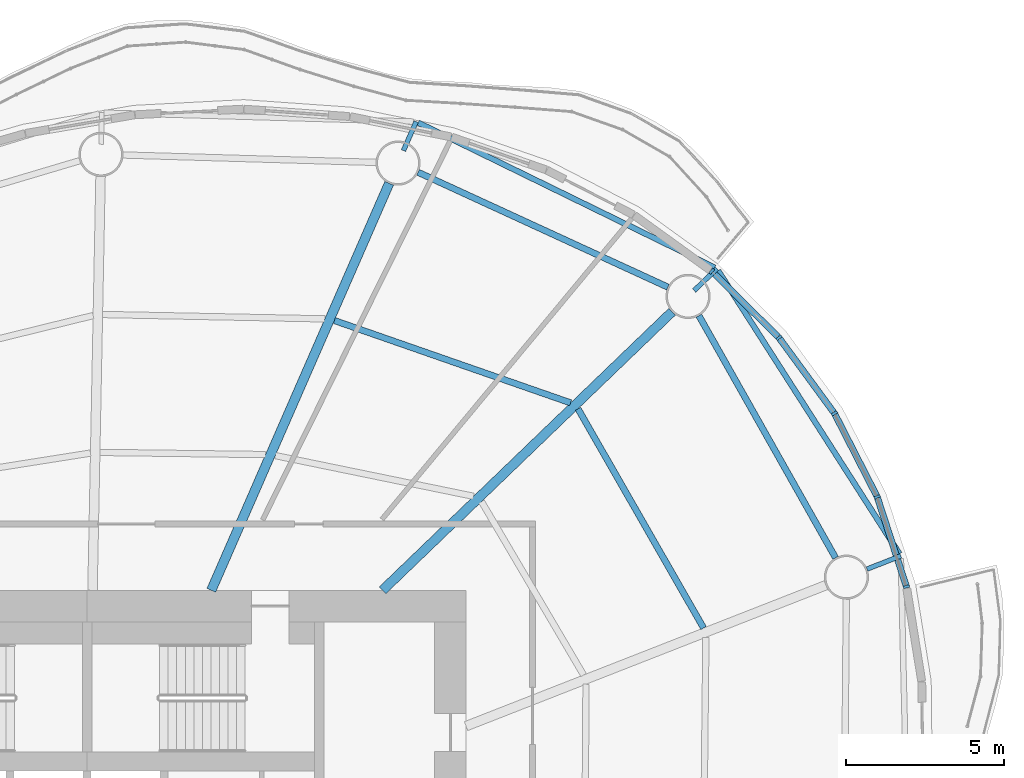
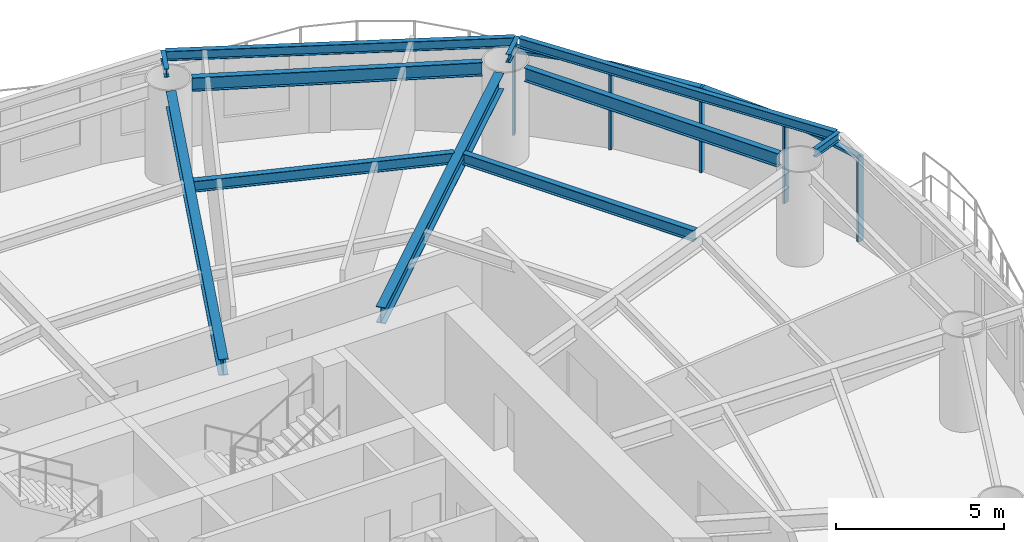
# One storey, part 6 of 15: 11 beams, 9 members, 4 elements without a shape of their own.
"""IFC4 building model written with IfcOpenShell, lengths in metres."""

from ifc_helpers import new_model, si_unit, direction, frame, origin, origin_2d, place, context, subcontext, project, spatial, rectangle, i_section, extrude, material, material_profile, profile_set, type_object, element, aggregate, save


model = new_model("IFC4")

# Units and contexts
model_context = context("Model", 3, precision=1e-05, world=origin(), true_north=direction((0.0, 1.0)))
body_context = subcontext(model_context, "Body", "Model", "MODEL_VIEW")
ifc_project = project(units=[si_unit("LENGTHUNIT", "METRE"), si_unit("AREAUNIT", "SQUARE_METRE"), si_unit("VOLUMEUNIT", "CUBIC_METRE"), si_unit("PLANEANGLEUNIT", "RADIAN"), si_unit("MASSUNIT", "GRAM", prefix="KILO")], contexts=[model_context])

# Site, building, storey
site_placement = place(None, origin())
site = spatial("IfcSite", under=ifc_project, at=site_placement, CompositionType="ELEMENT")
building_placement = place(site_placement, origin())
building = spatial("IfcBuilding", under=site, at=building_placement, Name="Vermilion Reach Broadcast Tower", CompositionType="ELEMENT")
storey_placement = place(building_placement, frame((0.0, 0.0, 161.39990234375)))
storey = spatial("IfcBuildingStorey", under=building, at=storey_placement, Name="L38", CompositionType="ELEMENT", Elevation=161.39990234375)

# Beams
ifc_material_1 = material(Name="Steel S355J2", Category="steel")
ifc_material_profile_1 = material_profile(ifc_material_1, i_section(OverallWidth=0.175048828125, OverallDepth=0.35009765625, WebThickness=0.007080078125, FlangeThickness=0.010986328125, at=origin_2d()), Name="S355J2 HN 350x175x7x11")
ifc_profile_set_1 = profile_set([ifc_material_profile_1], Name="Steel S355J2")
beam_type_1 = type_object("IfcBeamType", Name="EB3 HN 350x175x7x11", PredefinedType="BEAM", material=ifc_profile_set_1)
beam_1_placement = place(storey_placement, frame((13.866943359375, 19.215576171875, 3.275146484375), z_axis=(-0.898384770924, 0.439209293358, 0.0), x_axis=(-0.439209293358, -0.898384770924, 0.0)))
element("IfcBeam", 1, at=beam_1_placement, inside=storey, type_object=beam_type_1, Name="Edge beam EB3-01", PredefinedType="BEAM", context=body_context, shape_type="SweptSolid", body=[
    extrude(i_section(OverallWidth=0.175048828125, OverallDepth=0.35009765625, WebThickness=0.007080078125, FlangeThickness=0.010986328125, at=origin_2d()), origin(), (0.0, 0.0, 1.0), 10.4423828125),
])
beam_2_placement = place(storey_placement, frame((19.7197265625, 10.15478515625, 3.275146484375), z_axis=(-0.539365485007, 0.842071774603, 0.0), x_axis=(-0.842071774603, -0.539365485007, 0.0)))
element("IfcBeam", 2, at=beam_2_placement, inside=storey, type_object=beam_type_1, Name="Edge beam EB3-16", PredefinedType="BEAM", context=body_context, shape_type="SweptSolid", body=[
    extrude(i_section(OverallWidth=0.175048828125, OverallDepth=0.35009765625, WebThickness=0.007080078125, FlangeThickness=0.010986328125, at=origin_2d()), origin(), (0.0, 0.0, 1.0), 10.64208984375),
])
ifc_material_2 = material(Name="Steel S355J2", Category="steel")
ifc_material_profile_2 = material_profile(ifc_material_2, i_section(OverallWidth=0.300048828125, OverallDepth=0.587890625, WebThickness=0.011962890625, FlangeThickness=0.02001953125, at=origin_2d()), Name="S355J2 HM 588x300x12x20")
ifc_profile_set_2 = profile_set([ifc_material_profile_2], Name="Steel S355J2")
beam_type_2 = type_object("IfcBeamType", Name="G3 HM 588x300x12x20", PredefinedType="BEAM", material=ifc_profile_set_2)
beam_3_placement = place(storey_placement, frame((3.355712890625, 9.0, 3.156005859375), z_axis=(0.720670374476, 0.693277874559, 0.0), x_axis=(-0.693277874559, 0.720670374476, 0.0)))
element("IfcBeam", 3, at=beam_3_placement, inside=storey, type_object=beam_type_2, Name="Girder G3-01", PredefinedType="BEAM", context=body_context, shape_type="SweptSolid", body=[
    extrude(i_section(OverallWidth=0.300048828125, OverallDepth=0.587890625, WebThickness=0.011962890625, FlangeThickness=0.02001953125, at=origin_2d()), origin(), (0.0, 0.0, 1.0), 12.718505859375),
])
beam_4_placement = place(storey_placement, frame((-2.066162109375, 9.0, 3.156005859375), z_axis=(0.400519113205, 0.916288404356, 0.0), x_axis=(-0.916288404356, 0.400519113205, 0.0)))
element("IfcBeam", 4, at=beam_4_placement, inside=storey, type_object=beam_type_2, Name="Girder G3-02", PredefinedType="BEAM", context=body_context, shape_type="SweptSolid", body=[
    extrude(i_section(OverallWidth=0.300048828125, OverallDepth=0.587890625, WebThickness=0.011962890625, FlangeThickness=0.02001953125, at=origin_2d()), origin(), (0.0, 0.0, 1.0), 14.0595703125),
])
ifc_material_3 = material(Name="Steel S355J2", Category="steel")
ifc_material_profile_3 = material_profile(ifc_material_3, i_section(OverallWidth=0.14990234375, OverallDepth=0.300048828125, WebThickness=0.006591796875, FlangeThickness=0.009033203125, at=origin_2d()), Name="S355J2 HN 300x150x6.5x9")
ifc_profile_set_3 = profile_set([ifc_material_profile_3], Name="Steel S355J2")
beam_type_3 = type_object("IfcBeamType", Name="GS3 HN 300x150x6.5x9", PredefinedType="BEAM", material=ifc_profile_set_3)
for number, where, z_axis, x_axis, name in (
    (5, (13.2177734375, 18.4873046875, 3.300048828125), (0.720645397388, 0.693303837595, 0.0), (-0.693303837595, 0.720645397388, 0.0), "Cantilever stub GS3-01"),
    (6, (4.017578125, 22.918701171875, 3.300048828125), (0.400626718411, 0.916241361485, 0.0), (-0.916241361485, 0.400626718411, 0.0), "Cantilever stub GS3-02"),
):
    element("IfcBeam", number, at=place(storey_placement, frame(where, z_axis=z_axis, x_axis=x_axis)), inside=storey, type_object=beam_type_3, Name=name, PredefinedType="BEAM", context=body_context, shape_type="SweptSolid", body=[
        extrude(i_section(OverallWidth=0.14990234375, OverallDepth=0.300048828125, WebThickness=0.006591796875, FlangeThickness=0.009033203125, at=origin_2d()), origin(), (0.0, 0.0, 1.0), 1.0),
    ])
beam_5_placement = place(storey_placement, frame((18.6923828125, 9.671875, 3.300048828125), z_axis=(0.931151726933, 0.364631953384, 0.0), x_axis=(-0.364631953384, 0.931151726933, 0.0)))
element("IfcBeam", 7, at=beam_5_placement, inside=storey, type_object=beam_type_3, Name="Cantilever stub GS3-16", PredefinedType="BEAM", context=body_context, shape_type="SweptSolid", body=[
    extrude(i_section(OverallWidth=0.14990234375, OverallDepth=0.300048828125, WebThickness=0.006591796875, FlangeThickness=0.009033203125, at=origin_2d()), origin(), (0.0, 0.0, 1.0), 1.147705078125),
])
ifc_material_4 = material(Name="Steel S355J2", Category="steel")
ifc_material_profile_4 = material_profile(ifc_material_4, i_section(OverallWidth=0.199951171875, OverallDepth=0.5, WebThickness=0.010009765625, FlangeThickness=0.01611328125, at=origin_2d()), Name="S355J2 HN 500x200x10x16")
ifc_profile_set_4 = profile_set([ifc_material_profile_4], Name="Steel S355J2")
beam_type_4 = type_object("IfcBeamType", Name="RB3 HN 500x200x10x16", PredefinedType="BEAM", material=ifc_profile_set_4)
beam_6_placement = place(storey_placement, frame((12.389892578125, 18.594970703125, 3.2001953125), z_axis=(-0.908546241769, 0.417784306272, 0.0), x_axis=(-0.417784306272, -0.908546241769, 0.0)))
element("IfcBeam", 8, at=beam_6_placement, inside=storey, type_object=beam_type_4, Name="Ring beam RB3-01", PredefinedType="BEAM", context=body_context, shape_type="SweptSolid", body=[
    extrude(i_section(OverallWidth=0.199951171875, OverallDepth=0.5, WebThickness=0.010009765625, FlangeThickness=0.01611328125, at=origin_2d()), origin(), (0.0, 0.0, 1.0), 8.704833984375),
])
beam_7_placement = place(storey_placement, frame((17.696533203125, 10.026123046875, 3.2001953125), z_axis=(-0.491466825026, 0.870896296869, 0.0), x_axis=(-0.870896296869, -0.491466825026, 0.0)))
element("IfcBeam", 9, at=beam_7_placement, inside=storey, type_object=beam_type_4, Name="Ring beam RB3-16", PredefinedType="BEAM", context=body_context, shape_type="SweptSolid", body=[
    extrude(i_section(OverallWidth=0.199951171875, OverallDepth=0.5, WebThickness=0.010009765625, FlangeThickness=0.01611328125, at=origin_2d()), origin(), (0.0, 0.0, 1.0), 8.803466796875),
])
ifc_material_5 = material(Name="Steel S355J2", Category="steel")
ifc_material_profile_5 = material_profile(ifc_material_5, i_section(OverallWidth=0.199951171875, OverallDepth=0.39990234375, WebThickness=0.008056640625, FlangeThickness=0.012939453125, at=origin_2d()), Name="S355J2 HN 400x200x8x13")
ifc_profile_set_5 = profile_set([ifc_material_profile_5], Name="Steel S355J2")
beam_type_5 = type_object("IfcBeamType", Name="SB3 HN 400x200x8x13", PredefinedType="BEAM", material=ifc_profile_set_5)
beam_8_placement = place(storey_placement, frame((9.307373046875, 14.93359375, 3.25), z_axis=(-0.94431696779, 0.329037177754, 0.0), x_axis=(-0.329037177754, -0.94431696779, 0.0)))
element("IfcBeam", 10, at=beam_8_placement, inside=storey, type_object=beam_type_5, Name="Secondary beam SB3-01-2", PredefinedType="BEAM", context=body_context, shape_type="SweptSolid", body=[
    extrude(i_section(OverallWidth=0.199951171875, OverallDepth=0.39990234375, WebThickness=0.008056640625, FlangeThickness=0.012939453125, at=origin_2d()), origin(), (0.0, 0.0, 1.0), 7.91845703125),
])
beam_9_placement = place(storey_placement, frame((13.51708984375, 7.805908203125, 3.25), z_axis=(-0.497026503115, 0.867735360119, 0.0), x_axis=(-0.867735360119, -0.497026503115, 0.0)))
element("IfcBeam", 11, at=beam_9_placement, inside=storey, type_object=beam_type_5, Name="Secondary beam SB3-16-2", PredefinedType="BEAM", context=body_context, shape_type="SweptSolid", body=[
    extrude(i_section(OverallWidth=0.199951171875, OverallDepth=0.39990234375, WebThickness=0.008056640625, FlangeThickness=0.012939453125, at=origin_2d()), origin(), (0.0, 0.0, 1.0), 7.995849609375),
])

# Curtain wall, member
ifc_material_6 = material(Name="Low-e laminated clear glass in aluminium frame", Category="aluminium")
curtain_wall_type = type_object("IfcCurtainWallType", Name="Slot curtain wall", PredefinedType="NOTDEFINED", material=ifc_material_6)
placement = place(storey_placement, origin())
curtain_wall_1 = element("IfcCurtainWall", 12, at=placement, inside=storey, type_object=curtain_wall_type, Name="Slot curtain wall L38 46", PredefinedType="NOTDEFINED")
ifc_material_7 = material(Name="Anodised aluminium", Category="aluminium")
ifc_material_profile_6 = material_profile(ifc_material_7, rectangle(XDim=0.199951171875, YDim=0.080078125, at=origin_2d()), Name="Slot mullion 80 x 200")
ifc_profile_set_6 = profile_set([ifc_material_profile_6], Name="Anodised aluminium")
member_type_1 = type_object("IfcMemberType", Name="Slot mullion 80 x 200", PredefinedType="MULLION", material=ifc_profile_set_6)
member_1_placement = place(storey_placement, frame((19.938720703125, 9.11328125, 0.0), z_axis=(0.0, 0.0, 1.0), x_axis=(-0.971934069749, -0.235253403933, 0.0)))
member_1 = element("IfcMember", 13, at=member_1_placement, type_object=member_type_1, Name="Slot mullion L38 46", PredefinedType="MULLION", context=body_context, shape_type="SweptSolid", body=[
    extrude(rectangle(XDim=0.199951171875, YDim=0.080078125, at=origin_2d()), origin(), (0.0, 0.0, 1.0), 3.10009765625),
])

curtain_wall_2 = element("IfcCurtainWall", 14, at=placement, inside=storey, type_object=curtain_wall_type, Name="Slot curtain wall L38 47", PredefinedType="NOTDEFINED")
member_2_placement = place(storey_placement, frame((19.011962890625, 11.95947265625, 0.0), z_axis=(0.0, 0.0, 1.0), x_axis=(-0.923403798138, -0.383829943574, 0.0)))
member_2 = element("IfcMember", 15, at=member_2_placement, type_object=member_type_1, Name="Slot mullion L38 47", PredefinedType="MULLION", context=body_context, shape_type="SweptSolid", body=[
    extrude(rectangle(XDim=0.199951171875, YDim=0.080078125, at=origin_2d()), origin(), (0.0, 0.0, 1.0), 3.10009765625),
])

curtain_wall_3 = element("IfcCurtainWall", 16, at=placement, inside=storey, type_object=curtain_wall_type, Name="Slot curtain wall L38 00", PredefinedType="NOTDEFINED")
member_3_placement = place(storey_placement, frame((17.65966796875, 14.60107421875, 0.0), z_axis=(0.0, 0.0, 1.0), x_axis=(-0.850994521016, -0.525174566407, 0.0)))
member_3 = element("IfcMember", 17, at=member_3_placement, type_object=member_type_1, Name="Slot mullion L38 00", PredefinedType="MULLION", context=body_context, shape_type="SweptSolid", body=[
    extrude(rectangle(XDim=0.199951171875, YDim=0.080078125, at=origin_2d()), origin(), (0.0, 0.0, 1.0), 3.10009765625),
])

# Curtain wall, members
curtain_wall_4 = element("IfcCurtainWall", 18, at=placement, inside=storey, type_object=curtain_wall_type, Name="Slot curtain wall L38 01", PredefinedType="NOTDEFINED")
member_4_placement = place(storey_placement, frame((15.90478515625, 16.994384765625, 0.0), z_axis=(0.0, 0.0, 1.0), x_axis=(-0.757121793507, -0.653273747977, 0.0)))
member_4 = element("IfcMember", 19, at=member_4_placement, type_object=member_type_1, Name="Slot mullion L38 01", PredefinedType="MULLION", context=body_context, shape_type="SweptSolid", body=[
    extrude(rectangle(XDim=0.199951171875, YDim=0.080078125, at=origin_2d()), origin(), (0.0, 0.0, 1.0), 3.10009765625),
])
member_5_placement = place(storey_placement, frame((13.7763671875, 19.098876953125, 0.0), z_axis=(0.0, 0.0, 1.0), x_axis=(-0.646078087441, -0.763271318031, 0.0)))
member_5 = element("IfcMember", 20, at=member_5_placement, type_object=member_type_1, Name="Slot mullion L38 02", PredefinedType="MULLION", context=body_context, shape_type="SweptSolid", body=[
    extrude(rectangle(XDim=0.199951171875, YDim=0.080078125, at=origin_2d()), origin(), (0.0, 0.0, 1.0), 3.10009765625),
])

# Member
ifc_material_8 = material(Name="Anodised aluminium", Category="aluminium")
ifc_material_profile_7 = material_profile(ifc_material_8, rectangle(XDim=0.199951171875, YDim=0.10009765625, at=origin_2d()), Name="Slot transom 200 x 100")
ifc_profile_set_7 = profile_set([ifc_material_profile_7], Name="Anodised aluminium")
member_type_2 = type_object("IfcMemberType", Name="Slot transom 200 x 100", PredefinedType="USERDEFINED", material=ifc_profile_set_7)
member_6_placement = place(storey_placement, frame((19.92626953125, 9.1513671875, 3.050048828125), z_axis=(-0.309582523063, 0.950872578958, 0.0), x_axis=(-0.950872578958, -0.309582523063, 0.0)))
member_6 = element("IfcMember", 21, at=member_6_placement, type_object=member_type_2, Name="Slot transom L38 46.1", ObjectType="TRANSOM", PredefinedType="USERDEFINED", context=body_context, shape_type="SweptSolid", body=[
    extrude(rectangle(XDim=0.199951171875, YDim=0.10009765625, at=origin_2d()), origin(), (0.0, 0.0, 1.0), 2.9130859375),
])

aggregate(curtain_wall_1, [member_1, member_6])

member_7_placement = place(storey_placement, frame((18.99365234375, 11.9951171875, 3.050048828125), z_axis=(-0.455648776842, 0.8901596442, 0.0), x_axis=(-0.8901596442, -0.455648776842, 0.0)))
member_7 = element("IfcMember", 22, at=member_7_placement, type_object=member_type_2, Name="Slot transom L38 47.1", ObjectType="TRANSOM", PredefinedType="USERDEFINED", context=body_context, shape_type="SweptSolid", body=[
    extrude(rectangle(XDim=0.199951171875, YDim=0.10009765625, at=origin_2d()), origin(), (0.0, 0.0, 1.0), 2.887451171875),
])

aggregate(curtain_wall_2, [member_2, member_7])

member_8_placement = place(storey_placement, frame((17.635986328125, 14.63330078125, 3.050048828125), z_axis=(-0.591334339952, 0.806426499065, 0.0), x_axis=(-0.806426499065, -0.591334339952, 0.0)))
member_8 = element("IfcMember", 23, at=member_8_placement, type_object=member_type_2, Name="Slot transom L38 00.1", ObjectType="TRANSOM", PredefinedType="USERDEFINED", context=body_context, shape_type="SweptSolid", body=[
    extrude(rectangle(XDim=0.199951171875, YDim=0.10009765625, at=origin_2d()), origin(), (0.0, 0.0, 1.0), 2.887451171875),
])

aggregate(curtain_wall_3, [member_3, member_8])

member_9_placement = place(storey_placement, frame((15.876220703125, 17.0224609375, 3.050048828125), z_axis=(-0.711118163099, 0.703072512697, 0.0), x_axis=(-0.703072512697, -0.711118163099, 0.0)))
member_9 = element("IfcMember", 24, at=member_9_placement, type_object=member_type_2, Name="Slot transom L38 01.1", ObjectType="TRANSOM", PredefinedType="USERDEFINED", context=body_context, shape_type="SweptSolid", body=[
    extrude(rectangle(XDim=0.199951171875, YDim=0.10009765625, at=origin_2d()), origin(), (0.0, 0.0, 1.0), 2.9130859375),
])

aggregate(curtain_wall_4, [member_4, member_5, member_9])

save(model, "model.ifc")
